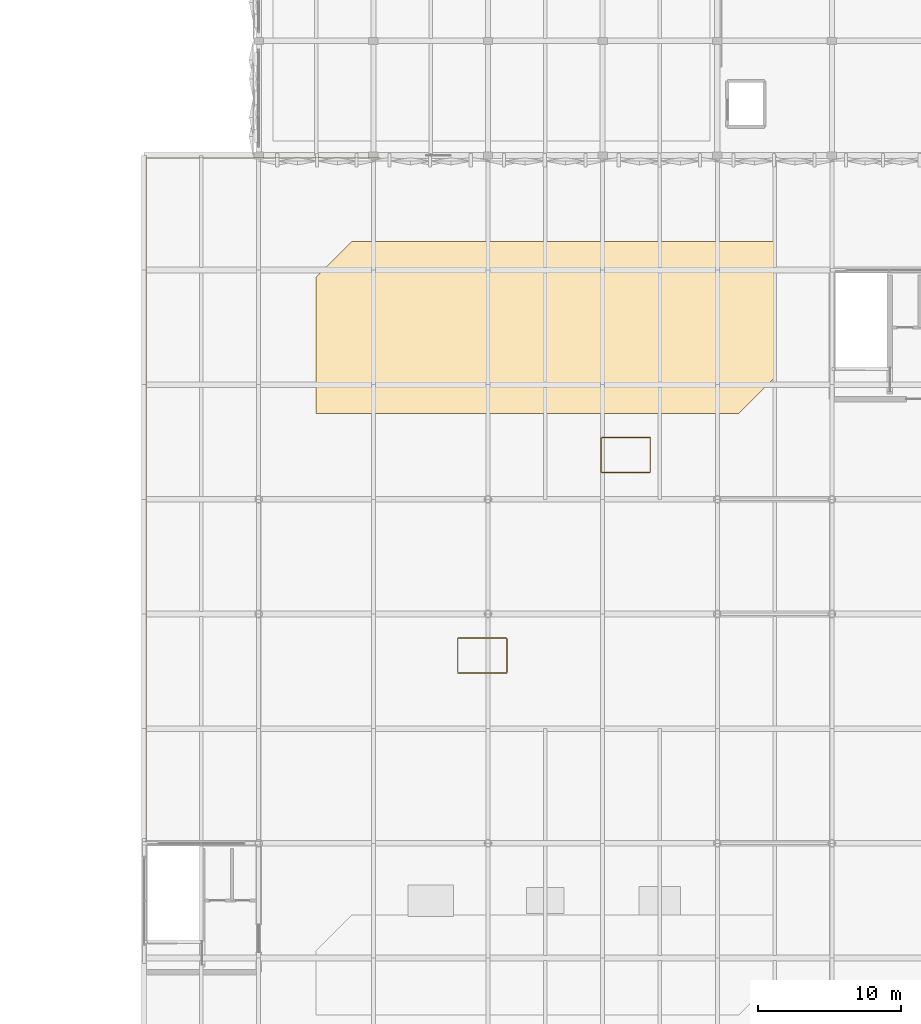
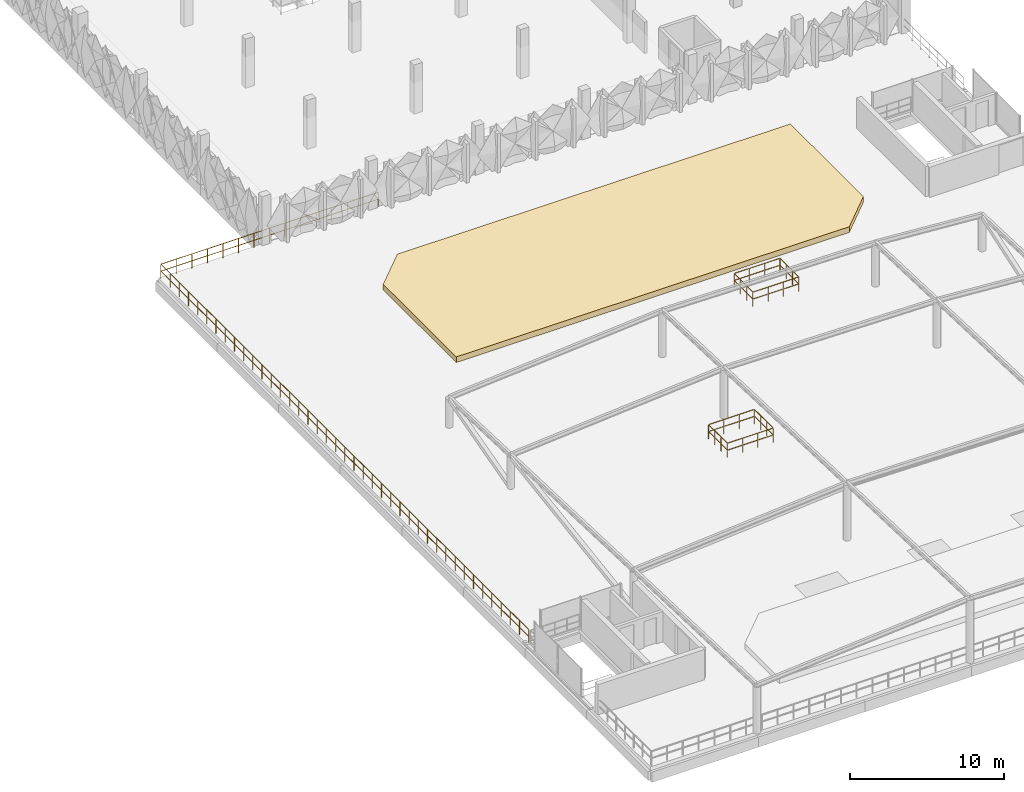
# One storey, part 72 of 76: 3 railings, 1 covering.
"""IFC4 building model written with IfcOpenShell, lengths in metres."""

from ifc_helpers import new_model, si_unit, derived_unit, direction, frame, origin, origin_2d, place, context, subcontext, project, spatial, polyline, circle, outline, extrude, material, layer, layer_set, type_object, element, save


model = new_model("IFC4")

# Units and contexts
model_context = context("Model", 3, precision=1e-05, world=origin(), true_north=direction((0.0, 1.0)))
body_context = subcontext(model_context, "Body", "Model", "MODEL_VIEW")
ifc_project = project(units=[si_unit("LENGTHUNIT", "METRE"), si_unit("AREAUNIT", "SQUARE_METRE"), si_unit("VOLUMEUNIT", "CUBIC_METRE"), si_unit("PLANEANGLEUNIT", "RADIAN"), si_unit("MASSUNIT", "GRAM", prefix="KILO"), si_unit("THERMODYNAMICTEMPERATUREUNIT", "KELVIN"), derived_unit("THERMALTRANSMITTANCEUNIT", [(si_unit("POWERUNIT", "WATT"), 1), (si_unit("AREAUNIT", "SQUARE_METRE"), -1), (si_unit("THERMODYNAMICTEMPERATUREUNIT", "KELVIN"), -1)])], contexts=[model_context])

# Site, building, storey
site_placement = place(None, origin())
site = spatial("IfcSite", under=ifc_project, at=site_placement, CompositionType="ELEMENT")
building_placement = place(site_placement, origin())
building = spatial("IfcBuilding", under=site, at=building_placement, Name="Haiyu Intermodal Mobility Hub", CompositionType="ELEMENT")
storey_placement = place(building_placement, frame((0.0, 0.0, 17.300048828125)))
storey = spatial("IfcBuildingStorey", under=building, at=storey_placement, Name="L04", CompositionType="ELEMENT", Elevation=17.300048828125)

# Covering
ifc_material_1 = material(Name="Acrylic sports court surfacing")
ifc_layer = layer(ifc_material_1, 0.030029296875)
ifc_layer_set = layer_set([ifc_layer], Name="Acrylic sports court surfacing")
covering_type = type_object("IfcCoveringType", Name="COV-CV07", PredefinedType="FLOORING", material=ifc_layer_set)
covering_placement = place(storey_placement, origin())
element("IfcCovering", 1, at=covering_placement, inside=storey, type_object=covering_type, Name="Sponge-City Planted Roof Garden Bed 02", PredefinedType="FLOORING", context=body_context, shape_type="SweptSolid", body=[
    extrude(outline(polyline([(166.0, 62.0), (195.5, 62.0), (198.0, 64.5), (198.0, 74.0), (168.5, 74.0), (166.0, 71.5), (166.0, 62.0)])), origin(), (0.0, 0.0, 1.0), 0.449951171875),
])

# Railings
ifc_material_2 = material(Name="Steel Q355C", Category="steel")
railing_type = type_object("IfcRailingType", Name="RAL-GR02", PredefinedType="GUARDRAIL", material=ifc_material_2)
railing_1_placement = place(storey_placement, frame((170.449951171875, 79.860107421875, 0.0)))
element("IfcRailing", 2, at=railing_1_placement, inside=storey, type_object=railing_type, Name="L04 Roof Garden North-West Guardrail", PredefinedType="GUARDRAIL", context=body_context, shape_type="SweptSolid", body=[
    extrude(circle(Radius=0.02392578125, at=origin_2d()), frame((-0.030029296875, 0.0, 1.1259765625), z_axis=(-1.0, 0.0, 0.0), x_axis=(0.0, -1.0, 0.0)), (0.0, 0.0, 1.0), 16.25),
    extrude(circle(Radius=0.02392578125, at=origin_2d()), frame((-0.037353515625, 0.0, 0.574951171875), z_axis=(-1.0, 0.0, 0.0), x_axis=(0.0, -1.0, 0.0)), (0.0, 0.0, 1.0), 1.09033203125),
    extrude(circle(Radius=0.02392578125, at=origin_2d()), frame((-1.202392578125, 0.0, 0.574951171875), z_axis=(-1.0, 0.0, 0.0), x_axis=(0.0, -1.0, 0.0)), (0.0, 0.0, 1.0), 1.09033203125),
    extrude(circle(Radius=0.02392578125, at=origin_2d()), frame((-2.3671875, 0.0, 0.574951171875), z_axis=(-1.0, 0.0, 0.0), x_axis=(0.0, -1.0, 0.0)), (0.0, 0.0, 1.0), 1.09033203125),
    extrude(circle(Radius=0.02392578125, at=origin_2d()), frame((-3.5322265625, 0.0, 0.574951171875), z_axis=(-1.0, 0.0, 0.0), x_axis=(0.0, -1.0, 0.0)), (0.0, 0.0, 1.0), 1.09033203125),
    extrude(circle(Radius=0.02392578125, at=origin_2d()), frame((-4.697265625, 0.0, 0.574951171875), z_axis=(-1.0, 0.0, 0.0), x_axis=(0.0, -1.0, 0.0)), (0.0, 0.0, 1.0), 1.09033203125),
    extrude(circle(Radius=0.02392578125, at=origin_2d()), frame((-5.8623046875, 0.0, 0.574951171875), z_axis=(-1.0, 0.0, 0.0), x_axis=(0.0, -1.0, 0.0)), (0.0, 0.0, 1.0), 1.09033203125),
    extrude(circle(Radius=0.02392578125, at=origin_2d()), frame((-7.02734375, 0.0, 0.574951171875), z_axis=(-1.0, 0.0, 0.0), x_axis=(0.0, -1.0, 0.0)), (0.0, 0.0, 1.0), 1.09033203125),
    extrude(circle(Radius=0.02392578125, at=origin_2d()), frame((-8.1923828125, 0.0, 0.574951171875), z_axis=(-1.0, 0.0, 0.0), x_axis=(0.0, -1.0, 0.0)), (0.0, 0.0, 1.0), 1.09033203125),
    extrude(circle(Radius=0.02392578125, at=origin_2d()), frame((-9.357421875, 0.0, 0.574951171875), z_axis=(-1.0, 0.0, 0.0), x_axis=(0.0, -1.0, 0.0)), (0.0, 0.0, 1.0), 1.09033203125),
    extrude(circle(Radius=0.02392578125, at=origin_2d()), frame((-10.522216796875, 0.0, 0.574951171875), z_axis=(-1.0, 0.0, 0.0), x_axis=(0.0, -1.0, 0.0)), (0.0, 0.0, 1.0), 1.09033203125),
    extrude(circle(Radius=0.02392578125, at=origin_2d()), frame((-11.687255859375, 0.0, 0.574951171875), z_axis=(-1.0, 0.0, 0.0), x_axis=(0.0, -1.0, 0.0)), (0.0, 0.0, 1.0), 1.09033203125),
    extrude(circle(Radius=0.02392578125, at=origin_2d()), frame((-12.852294921875, 0.0, 0.574951171875), z_axis=(-1.0, 0.0, 0.0), x_axis=(0.0, -1.0, 0.0)), (0.0, 0.0, 1.0), 1.09033203125),
    extrude(circle(Radius=0.02392578125, at=origin_2d()), frame((-14.017333984375, 0.0, 0.574951171875), z_axis=(-1.0, 0.0, 0.0), x_axis=(0.0, -1.0, 0.0)), (0.0, 0.0, 1.0), 1.09033203125),
    extrude(circle(Radius=0.02392578125, at=origin_2d()), frame((-15.182373046875, 0.0, 0.574951171875), z_axis=(-1.0, 0.0, 0.0), x_axis=(0.0, -1.0, 0.0)), (0.0, 0.0, 1.0), 1.09033203125),
    extrude(circle(Radius=0.02392578125, at=origin_2d()), frame((-16.31005859375, -0.030029296875, 1.1259765625), z_axis=(0.0, -1.0, 0.0), x_axis=(1.0, 0.0, 0.0)), (0.0, 0.0, 1.0), 47.75),
    extrude(circle(Radius=0.02392578125, at=origin_2d()), frame((-16.31005859375, -0.037353515625, 0.574951171875), z_axis=(0.0, -1.0, 0.0), x_axis=(1.0, 0.0, 0.0)), (0.0, 0.0, 1.0), 1.12060546875),
    extrude(circle(Radius=0.02392578125, at=origin_2d()), frame((-16.31005859375, -1.232666015625, 0.574951171875), z_axis=(0.0, -1.0, 0.0), x_axis=(1.0, 0.0, 0.0)), (0.0, 0.0, 1.0), 1.12060546875),
    extrude(circle(Radius=0.02392578125, at=origin_2d()), frame((-16.31005859375, -2.427734375, 0.574951171875), z_axis=(0.0, -1.0, 0.0), x_axis=(1.0, 0.0, 0.0)), (0.0, 0.0, 1.0), 1.12060546875),
    extrude(circle(Radius=0.02392578125, at=origin_2d()), frame((-16.31005859375, -3.623046875, 0.574951171875), z_axis=(0.0, -1.0, 0.0), x_axis=(1.0, 0.0, 0.0)), (0.0, 0.0, 1.0), 1.12060546875),
    extrude(circle(Radius=0.02392578125, at=origin_2d()), frame((-16.31005859375, -4.818359375, 0.574951171875), z_axis=(0.0, -1.0, 0.0), x_axis=(1.0, 0.0, 0.0)), (0.0, 0.0, 1.0), 1.12060546875),
    extrude(circle(Radius=0.02392578125, at=origin_2d()), frame((-16.31005859375, -6.013671875, 0.574951171875), z_axis=(0.0, -1.0, 0.0), x_axis=(1.0, 0.0, 0.0)), (0.0, 0.0, 1.0), 1.12060546875),
    extrude(circle(Radius=0.02392578125, at=origin_2d()), frame((-16.31005859375, -7.208740234375, 0.574951171875), z_axis=(0.0, -1.0, 0.0), x_axis=(1.0, 0.0, 0.0)), (0.0, 0.0, 1.0), 1.12060546875),
    extrude(circle(Radius=0.02392578125, at=origin_2d()), frame((-16.31005859375, -8.404052734375, 0.574951171875), z_axis=(0.0, -1.0, 0.0), x_axis=(1.0, 0.0, 0.0)), (0.0, 0.0, 1.0), 1.12060546875),
    extrude(circle(Radius=0.02392578125, at=origin_2d()), frame((-16.31005859375, -9.599365234375, 0.574951171875), z_axis=(0.0, -1.0, 0.0), x_axis=(1.0, 0.0, 0.0)), (0.0, 0.0, 1.0), 1.12060546875),
    extrude(circle(Radius=0.02392578125, at=origin_2d()), frame((-16.31005859375, -10.794677734375, 0.574951171875), z_axis=(0.0, -1.0, 0.0), x_axis=(1.0, 0.0, 0.0)), (0.0, 0.0, 1.0), 1.12060546875),
    extrude(circle(Radius=0.02392578125, at=origin_2d()), frame((-16.31005859375, -11.98974609375, 0.574951171875), z_axis=(0.0, -1.0, 0.0), x_axis=(1.0, 0.0, 0.0)), (0.0, 0.0, 1.0), 1.12060546875),
    extrude(circle(Radius=0.02392578125, at=origin_2d()), frame((-16.31005859375, -13.18505859375, 0.574951171875), z_axis=(0.0, -1.0, 0.0), x_axis=(1.0, 0.0, 0.0)), (0.0, 0.0, 1.0), 1.12060546875),
    extrude(circle(Radius=0.02392578125, at=origin_2d()), frame((-16.31005859375, -14.38037109375, 0.574951171875), z_axis=(0.0, -1.0, 0.0), x_axis=(1.0, 0.0, 0.0)), (0.0, 0.0, 1.0), 1.12060546875),
    extrude(circle(Radius=0.02392578125, at=origin_2d()), frame((-16.31005859375, -15.57568359375, 0.574951171875), z_axis=(0.0, -1.0, 0.0), x_axis=(1.0, 0.0, 0.0)), (0.0, 0.0, 1.0), 1.12060546875),
    extrude(circle(Radius=0.02392578125, at=origin_2d()), frame((-16.31005859375, -16.770751953125, 0.574951171875), z_axis=(0.0, -1.0, 0.0), x_axis=(1.0, 0.0, 0.0)), (0.0, 0.0, 1.0), 1.12060546875),
    extrude(circle(Radius=0.02392578125, at=origin_2d()), frame((-16.31005859375, -17.966064453125, 0.574951171875), z_axis=(0.0, -1.0, 0.0), x_axis=(1.0, 0.0, 0.0)), (0.0, 0.0, 1.0), 1.12060546875),
    extrude(circle(Radius=0.02392578125, at=origin_2d()), frame((-16.31005859375, -19.161376953125, 0.574951171875), z_axis=(0.0, -1.0, 0.0), x_axis=(1.0, 0.0, 0.0)), (0.0, 0.0, 1.0), 1.12060546875),
    extrude(circle(Radius=0.02392578125, at=origin_2d()), frame((-16.31005859375, -20.356689453125, 0.574951171875), z_axis=(0.0, -1.0, 0.0), x_axis=(1.0, 0.0, 0.0)), (0.0, 0.0, 1.0), 1.12060546875),
    extrude(circle(Radius=0.02392578125, at=origin_2d()), frame((-16.31005859375, -21.5517578125, 0.574951171875), z_axis=(0.0, -1.0, 0.0), x_axis=(1.0, 0.0, 0.0)), (0.0, 0.0, 1.0), 1.12060546875),
    extrude(circle(Radius=0.02392578125, at=origin_2d()), frame((-16.31005859375, -22.7470703125, 0.574951171875), z_axis=(0.0, -1.0, 0.0), x_axis=(1.0, 0.0, 0.0)), (0.0, 0.0, 1.0), 1.12060546875),
    extrude(circle(Radius=0.02392578125, at=origin_2d()), frame((-16.31005859375, -23.9423828125, 0.574951171875), z_axis=(0.0, -1.0, 0.0), x_axis=(1.0, 0.0, 0.0)), (0.0, 0.0, 1.0), 1.12060546875),
    extrude(circle(Radius=0.02392578125, at=origin_2d()), frame((-16.31005859375, -25.1376953125, 0.574951171875), z_axis=(0.0, -1.0, 0.0), x_axis=(1.0, 0.0, 0.0)), (0.0, 0.0, 1.0), 1.12060546875),
    extrude(circle(Radius=0.02392578125, at=origin_2d()), frame((-16.31005859375, -26.332763671875, 0.574951171875), z_axis=(0.0, -1.0, 0.0), x_axis=(1.0, 0.0, 0.0)), (0.0, 0.0, 1.0), 1.12060546875),
    extrude(circle(Radius=0.02392578125, at=origin_2d()), frame((-16.31005859375, -27.528076171875, 0.574951171875), z_axis=(0.0, -1.0, 0.0), x_axis=(1.0, 0.0, 0.0)), (0.0, 0.0, 1.0), 1.12060546875),
    extrude(circle(Radius=0.02392578125, at=origin_2d()), frame((-16.31005859375, -28.723388671875, 0.574951171875), z_axis=(0.0, -1.0, 0.0), x_axis=(1.0, 0.0, 0.0)), (0.0, 0.0, 1.0), 1.12060546875),
    extrude(circle(Radius=0.02392578125, at=origin_2d()), frame((-16.31005859375, -29.918701171875, 0.574951171875), z_axis=(0.0, -1.0, 0.0), x_axis=(1.0, 0.0, 0.0)), (0.0, 0.0, 1.0), 1.12060546875),
    extrude(circle(Radius=0.02392578125, at=origin_2d()), frame((-16.31005859375, -31.11376953125, 0.574951171875), z_axis=(0.0, -1.0, 0.0), x_axis=(1.0, 0.0, 0.0)), (0.0, 0.0, 1.0), 1.12060546875),
    extrude(circle(Radius=0.02392578125, at=origin_2d()), frame((-16.31005859375, -32.30908203125, 0.574951171875), z_axis=(0.0, -1.0, 0.0), x_axis=(1.0, 0.0, 0.0)), (0.0, 0.0, 1.0), 1.12060546875),
    extrude(circle(Radius=0.02392578125, at=origin_2d()), frame((-16.31005859375, -33.50439453125, 0.574951171875), z_axis=(0.0, -1.0, 0.0), x_axis=(1.0, 0.0, 0.0)), (0.0, 0.0, 1.0), 1.12060546875),
    extrude(circle(Radius=0.02392578125, at=origin_2d()), frame((-16.31005859375, -34.69970703125, 0.574951171875), z_axis=(0.0, -1.0, 0.0), x_axis=(1.0, 0.0, 0.0)), (0.0, 0.0, 1.0), 1.12060546875),
    extrude(circle(Radius=0.02392578125, at=origin_2d()), frame((-16.31005859375, -35.894775390625, 0.574951171875), z_axis=(0.0, -1.0, 0.0), x_axis=(1.0, 0.0, 0.0)), (0.0, 0.0, 1.0), 1.12060546875),
    extrude(circle(Radius=0.02392578125, at=origin_2d()), frame((-16.31005859375, -37.090087890625, 0.574951171875), z_axis=(0.0, -1.0, 0.0), x_axis=(1.0, 0.0, 0.0)), (0.0, 0.0, 1.0), 1.12060546875),
    extrude(circle(Radius=0.02392578125, at=origin_2d()), frame((-16.31005859375, -38.285400390625, 0.574951171875), z_axis=(0.0, -1.0, 0.0), x_axis=(1.0, 0.0, 0.0)), (0.0, 0.0, 1.0), 1.12060546875),
    extrude(circle(Radius=0.02392578125, at=origin_2d()), frame((-16.31005859375, -39.480712890625, 0.574951171875), z_axis=(0.0, -1.0, 0.0), x_axis=(1.0, 0.0, 0.0)), (0.0, 0.0, 1.0), 1.12060546875),
    extrude(circle(Radius=0.02392578125, at=origin_2d()), frame((-16.31005859375, -40.67578125, 0.574951171875), z_axis=(0.0, -1.0, 0.0), x_axis=(1.0, 0.0, 0.0)), (0.0, 0.0, 1.0), 1.12060546875),
    extrude(circle(Radius=0.02392578125, at=origin_2d()), frame((-16.31005859375, -41.87109375, 0.574951171875), z_axis=(0.0, -1.0, 0.0), x_axis=(1.0, 0.0, 0.0)), (0.0, 0.0, 1.0), 1.12060546875),
    extrude(circle(Radius=0.02392578125, at=origin_2d()), frame((-16.31005859375, -43.06640625, 0.574951171875), z_axis=(0.0, -1.0, 0.0), x_axis=(1.0, 0.0, 0.0)), (0.0, 0.0, 1.0), 1.12060546875),
    extrude(circle(Radius=0.02392578125, at=origin_2d()), frame((-16.31005859375, -44.26171875, 0.574951171875), z_axis=(0.0, -1.0, 0.0), x_axis=(1.0, 0.0, 0.0)), (0.0, 0.0, 1.0), 1.12060546875),
    extrude(circle(Radius=0.02392578125, at=origin_2d()), frame((-16.31005859375, -45.456787109375, 0.574951171875), z_axis=(0.0, -1.0, 0.0), x_axis=(1.0, 0.0, 0.0)), (0.0, 0.0, 1.0), 1.12060546875),
    extrude(circle(Radius=0.02392578125, at=origin_2d()), frame((-16.31005859375, -46.652099609375, 0.574951171875), z_axis=(0.0, -1.0, 0.0), x_axis=(1.0, 0.0, 0.0)), (0.0, 0.0, 1.0), 1.12060546875),
    extrude(circle(Radius=0.02099609375, at=origin_2d()), origin(), (0.0, 0.0, 1.0), 1.09375),
    extrude(circle(Radius=0.02099609375, at=origin_2d()), frame((-1.1650390625, 0.0, 0.0)), (0.0, 0.0, 1.0), 1.09375),
    extrude(circle(Radius=0.02099609375, at=origin_2d()), frame((-2.330078125, 0.0, 0.0)), (0.0, 0.0, 1.0), 1.09375),
    extrude(circle(Radius=0.02099609375, at=origin_2d()), frame((-3.4951171875, 0.0, 0.0)), (0.0, 0.0, 1.0), 1.09375),
    extrude(circle(Radius=0.02099609375, at=origin_2d()), frame((-4.659912109375, 0.0, 0.0)), (0.0, 0.0, 1.0), 1.09375),
    extrude(circle(Radius=0.02099609375, at=origin_2d()), frame((-5.824951171875, 0.0, 0.0)), (0.0, 0.0, 1.0), 1.09375),
    extrude(circle(Radius=0.02099609375, at=origin_2d()), frame((-6.989990234375, 0.0, 0.0)), (0.0, 0.0, 1.0), 1.09375),
    extrude(circle(Radius=0.02099609375, at=origin_2d()), frame((-8.155029296875, 0.0, 0.0)), (0.0, 0.0, 1.0), 1.09375),
    extrude(circle(Radius=0.02099609375, at=origin_2d()), frame((-9.320068359375, 0.0, 0.0)), (0.0, 0.0, 1.0), 1.09375),
    extrude(circle(Radius=0.02099609375, at=origin_2d()), frame((-10.485107421875, 0.0, 0.0)), (0.0, 0.0, 1.0), 1.09375),
    extrude(circle(Radius=0.02099609375, at=origin_2d()), frame((-11.650146484375, 0.0, 0.0)), (0.0, 0.0, 1.0), 1.09375),
    extrude(circle(Radius=0.02099609375, at=origin_2d()), frame((-12.81494140625, 0.0, 0.0)), (0.0, 0.0, 1.0), 1.09375),
    extrude(circle(Radius=0.02099609375, at=origin_2d()), frame((-13.97998046875, 0.0, 0.0)), (0.0, 0.0, 1.0), 1.09375),
    extrude(circle(Radius=0.02099609375, at=origin_2d()), frame((-15.14501953125, 0.0, 0.0)), (0.0, 0.0, 1.0), 1.09375),
    extrude(circle(Radius=0.02099609375, at=origin_2d()), frame((-16.31005859375, 0.0, 0.0)), (0.0, 0.0, 1.0), 1.09375),
    extrude(circle(Radius=0.02099609375, at=origin_2d()), frame((-16.31005859375, -1.1953125, 0.0)), (0.0, 0.0, 1.0), 1.09375),
    extrude(circle(Radius=0.02099609375, at=origin_2d()), frame((-16.31005859375, -2.390625, 0.0)), (0.0, 0.0, 1.0), 1.09375),
    extrude(circle(Radius=0.02099609375, at=origin_2d()), frame((-16.31005859375, -3.585693359375, 0.0)), (0.0, 0.0, 1.0), 1.09375),
    extrude(circle(Radius=0.02099609375, at=origin_2d()), frame((-16.31005859375, -4.781005859375, 0.0)), (0.0, 0.0, 1.0), 1.09375),
    extrude(circle(Radius=0.02099609375, at=origin_2d()), frame((-16.31005859375, -5.976318359375, 0.0)), (0.0, 0.0, 1.0), 1.09375),
    extrude(circle(Radius=0.02099609375, at=origin_2d()), frame((-16.31005859375, -7.17138671875, 0.0)), (0.0, 0.0, 1.0), 1.09375),
    extrude(circle(Radius=0.02099609375, at=origin_2d()), frame((-16.31005859375, -8.36669921875, 0.0)), (0.0, 0.0, 1.0), 1.09375),
    extrude(circle(Radius=0.02099609375, at=origin_2d()), frame((-16.31005859375, -9.56201171875, 0.0)), (0.0, 0.0, 1.0), 1.09375),
    extrude(circle(Radius=0.02099609375, at=origin_2d()), frame((-16.31005859375, -10.75732421875, 0.0)), (0.0, 0.0, 1.0), 1.09375),
    extrude(circle(Radius=0.02099609375, at=origin_2d()), frame((-16.31005859375, -11.95263671875, 0.0)), (0.0, 0.0, 1.0), 1.09375),
    extrude(circle(Radius=0.02099609375, at=origin_2d()), frame((-16.31005859375, -13.147705078125, 0.0)), (0.0, 0.0, 1.0), 1.09375),
    extrude(circle(Radius=0.02099609375, at=origin_2d()), frame((-16.31005859375, -14.343017578125, 0.0)), (0.0, 0.0, 1.0), 1.09375),
    extrude(circle(Radius=0.02099609375, at=origin_2d()), frame((-16.31005859375, -15.538330078125, 0.0)), (0.0, 0.0, 1.0), 1.09375),
    extrude(circle(Radius=0.02099609375, at=origin_2d()), frame((-16.31005859375, -16.7333984375, 0.0)), (0.0, 0.0, 1.0), 1.09375),
    extrude(circle(Radius=0.02099609375, at=origin_2d()), frame((-16.31005859375, -17.9287109375, 0.0)), (0.0, 0.0, 1.0), 1.09375),
    extrude(circle(Radius=0.02099609375, at=origin_2d()), frame((-16.31005859375, -19.1240234375, 0.0)), (0.0, 0.0, 1.0), 1.09375),
    extrude(circle(Radius=0.02099609375, at=origin_2d()), frame((-16.31005859375, -20.3193359375, 0.0)), (0.0, 0.0, 1.0), 1.09375),
    extrude(circle(Radius=0.02099609375, at=origin_2d()), frame((-16.31005859375, -21.5146484375, 0.0)), (0.0, 0.0, 1.0), 1.09375),
    extrude(circle(Radius=0.02099609375, at=origin_2d()), frame((-16.31005859375, -22.709716796875, 0.0)), (0.0, 0.0, 1.0), 1.09375),
    extrude(circle(Radius=0.02099609375, at=origin_2d()), frame((-16.31005859375, -23.905029296875, 0.0)), (0.0, 0.0, 1.0), 1.09375),
    extrude(circle(Radius=0.02099609375, at=origin_2d()), frame((-16.31005859375, -25.100341796875, 0.0)), (0.0, 0.0, 1.0), 1.09375),
    extrude(circle(Radius=0.02099609375, at=origin_2d()), frame((-16.31005859375, -26.295654296875, 0.0)), (0.0, 0.0, 1.0), 1.09375),
    extrude(circle(Radius=0.02099609375, at=origin_2d()), frame((-16.31005859375, -27.49072265625, 0.0)), (0.0, 0.0, 1.0), 1.09375),
    extrude(circle(Radius=0.02099609375, at=origin_2d()), frame((-16.31005859375, -28.68603515625, 0.0)), (0.0, 0.0, 1.0), 1.09375),
    extrude(circle(Radius=0.02099609375, at=origin_2d()), frame((-16.31005859375, -29.88134765625, 0.0)), (0.0, 0.0, 1.0), 1.09375),
    extrude(circle(Radius=0.02099609375, at=origin_2d()), frame((-16.31005859375, -31.07666015625, 0.0)), (0.0, 0.0, 1.0), 1.09375),
    extrude(circle(Radius=0.02099609375, at=origin_2d()), frame((-16.31005859375, -32.271728515625, 0.0)), (0.0, 0.0, 1.0), 1.09375),
    extrude(circle(Radius=0.02099609375, at=origin_2d()), frame((-16.31005859375, -33.467041015625, 0.0)), (0.0, 0.0, 1.0), 1.09375),
    extrude(circle(Radius=0.02099609375, at=origin_2d()), frame((-16.31005859375, -34.662353515625, 0.0)), (0.0, 0.0, 1.0), 1.09375),
    extrude(circle(Radius=0.02099609375, at=origin_2d()), frame((-16.31005859375, -35.857421875, 0.0)), (0.0, 0.0, 1.0), 1.09375),
    extrude(circle(Radius=0.02099609375, at=origin_2d()), frame((-16.31005859375, -37.052734375, 0.0)), (0.0, 0.0, 1.0), 1.09375),
    extrude(circle(Radius=0.02099609375, at=origin_2d()), frame((-16.31005859375, -38.248046875, 0.0)), (0.0, 0.0, 1.0), 1.09375),
    extrude(circle(Radius=0.02099609375, at=origin_2d()), frame((-16.31005859375, -39.443359375, 0.0)), (0.0, 0.0, 1.0), 1.09375),
    extrude(circle(Radius=0.02099609375, at=origin_2d()), frame((-16.31005859375, -40.638671875, 0.0)), (0.0, 0.0, 1.0), 1.09375),
    extrude(circle(Radius=0.02099609375, at=origin_2d()), frame((-16.31005859375, -41.833740234375, 0.0)), (0.0, 0.0, 1.0), 1.09375),
    extrude(circle(Radius=0.02099609375, at=origin_2d()), frame((-16.31005859375, -43.029052734375, 0.0)), (0.0, 0.0, 1.0), 1.09375),
    extrude(circle(Radius=0.02099609375, at=origin_2d()), frame((-16.31005859375, -44.224365234375, 0.0)), (0.0, 0.0, 1.0), 1.09375),
    extrude(circle(Radius=0.02099609375, at=origin_2d()), frame((-16.31005859375, -45.41943359375, 0.0)), (0.0, 0.0, 1.0), 1.09375),
    extrude(circle(Radius=0.02099609375, at=origin_2d()), frame((-16.31005859375, -46.61474609375, 0.0)), (0.0, 0.0, 1.0), 1.09375),
    extrude(circle(Radius=0.02099609375, at=origin_2d()), frame((-16.31005859375, -47.81005859375, 0.0)), (0.0, 0.0, 1.0), 1.09375),
])
railing_2_placement = place(storey_placement, frame((175.8798828125, 43.8798828125, 0.0)))
element("IfcRailing", 3, at=railing_2_placement, inside=storey, type_object=railing_type, Name="RAL-V5RG-OPN1", PredefinedType="GUARDRAIL", context=body_context, shape_type="SweptSolid", body=[
    extrude(circle(Radius=0.02392578125, at=origin_2d()), frame((0.030029296875, 0.0, 1.1259765625), z_axis=(1.0, 0.0, 0.0), x_axis=(0.0, 1.0, 0.0)), (0.0, 0.0, 1.0), 3.380126953125),
    extrude(circle(Radius=0.02392578125, at=origin_2d()), frame((0.037353515625, 0.0, 0.574951171875), z_axis=(1.0, 0.0, 0.0), x_axis=(0.0, 1.0, 0.0)), (0.0, 0.0, 1.0), 1.072021484375),
    extrude(circle(Radius=0.02392578125, at=origin_2d()), frame((1.18408203125, 0.0, 0.574951171875), z_axis=(1.0, 0.0, 0.0), x_axis=(0.0, 1.0, 0.0)), (0.0, 0.0, 1.0), 1.072021484375),
    extrude(circle(Radius=0.02392578125, at=origin_2d()), frame((2.330810546875, 0.0, 0.574951171875), z_axis=(1.0, 0.0, 0.0), x_axis=(0.0, 1.0, 0.0)), (0.0, 0.0, 1.0), 1.072021484375),
    extrude(circle(Radius=0.02392578125, at=origin_2d()), frame((3.440185546875, 0.030029296875, 1.1259765625), z_axis=(0.0, 1.0, 0.0), x_axis=(-1.0, 0.0, 0.0)), (0.0, 0.0, 1.0), 2.380126953125),
    extrude(circle(Radius=0.02392578125, at=origin_2d()), frame((3.440185546875, 0.037353515625, 0.574951171875), z_axis=(0.0, 1.0, 0.0), x_axis=(-1.0, 0.0, 0.0)), (0.0, 0.0, 1.0), 0.73876953125),
    extrude(circle(Radius=0.02392578125, at=origin_2d()), frame((3.440185546875, 0.8505859375, 0.574951171875), z_axis=(0.0, 1.0, 0.0), x_axis=(-1.0, 0.0, 0.0)), (0.0, 0.0, 1.0), 0.73876953125),
    extrude(circle(Radius=0.02392578125, at=origin_2d()), frame((3.440185546875, 1.6640625, 0.574951171875), z_axis=(0.0, 1.0, 0.0), x_axis=(-1.0, 0.0, 0.0)), (0.0, 0.0, 1.0), 0.73876953125),
    extrude(circle(Radius=0.02392578125, at=origin_2d()), frame((3.41015625, 2.440185546875, 1.1259765625), z_axis=(-1.0, 0.0, 0.0), x_axis=(0.0, -1.0, 0.0)), (0.0, 0.0, 1.0), 3.380126953125),
    extrude(circle(Radius=0.02392578125, at=origin_2d()), frame((3.40283203125, 2.440185546875, 0.574951171875), z_axis=(-1.0, 0.0, 0.0), x_axis=(0.0, -1.0, 0.0)), (0.0, 0.0, 1.0), 1.072021484375),
    extrude(circle(Radius=0.02392578125, at=origin_2d()), frame((2.256103515625, 2.440185546875, 0.574951171875), z_axis=(-1.0, 0.0, 0.0), x_axis=(0.0, -1.0, 0.0)), (0.0, 0.0, 1.0), 1.072021484375),
    extrude(circle(Radius=0.02392578125, at=origin_2d()), frame((1.109375, 2.440185546875, 0.574951171875), z_axis=(-1.0, 0.0, 0.0), x_axis=(0.0, -1.0, 0.0)), (0.0, 0.0, 1.0), 1.072021484375),
    extrude(circle(Radius=0.02392578125, at=origin_2d()), frame((0.0, 2.41015625, 1.1259765625), z_axis=(0.0, -1.0, 0.0), x_axis=(1.0, 0.0, 0.0)), (0.0, 0.0, 1.0), 2.380126953125),
    extrude(circle(Radius=0.02392578125, at=origin_2d()), frame((0.0, 2.40283203125, 0.574951171875), z_axis=(0.0, -1.0, 0.0), x_axis=(1.0, 0.0, 0.0)), (0.0, 0.0, 1.0), 0.73876953125),
    extrude(circle(Radius=0.02392578125, at=origin_2d()), frame((0.0, 1.589599609375, 0.574951171875), z_axis=(0.0, -1.0, 0.0), x_axis=(1.0, 0.0, 0.0)), (0.0, 0.0, 1.0), 0.73876953125),
    extrude(circle(Radius=0.02392578125, at=origin_2d()), frame((0.0, 0.776123046875, 0.574951171875), z_axis=(0.0, -1.0, 0.0), x_axis=(1.0, 0.0, 0.0)), (0.0, 0.0, 1.0), 0.73876953125),
    extrude(circle(Radius=0.02099609375, at=origin_2d()), origin(), (0.0, 0.0, 1.0), 1.09375),
    extrude(circle(Radius=0.02099609375, at=origin_2d()), frame((1.146728515625, 0.0, 0.0)), (0.0, 0.0, 1.0), 1.09375),
    extrude(circle(Radius=0.02099609375, at=origin_2d()), frame((2.29345703125, 0.0, 0.0)), (0.0, 0.0, 1.0), 1.09375),
    extrude(circle(Radius=0.02099609375, at=origin_2d()), frame((3.440185546875, 0.0, 0.0)), (0.0, 0.0, 1.0), 1.09375),
    extrude(circle(Radius=0.02099609375, at=origin_2d()), frame((3.440185546875, 0.8134765625, 0.0)), (0.0, 0.0, 1.0), 1.09375),
    extrude(circle(Radius=0.02099609375, at=origin_2d()), frame((3.440185546875, 1.626708984375, 0.0)), (0.0, 0.0, 1.0), 1.09375),
    extrude(circle(Radius=0.02099609375, at=origin_2d()), frame((3.440185546875, 2.440185546875, 0.0)), (0.0, 0.0, 1.0), 1.09375),
    extrude(circle(Radius=0.02099609375, at=origin_2d()), frame((2.29345703125, 2.440185546875, 0.0)), (0.0, 0.0, 1.0), 1.09375),
    extrude(circle(Radius=0.02099609375, at=origin_2d()), frame((1.146728515625, 2.440185546875, 0.0)), (0.0, 0.0, 1.0), 1.09375),
    extrude(circle(Radius=0.02099609375, at=origin_2d()), frame((0.0, 2.440185546875, 0.0)), (0.0, 0.0, 1.0), 1.09375),
    extrude(circle(Radius=0.02099609375, at=origin_2d()), frame((0.0, 1.626708984375, 0.0)), (0.0, 0.0, 1.0), 1.09375),
    extrude(circle(Radius=0.02099609375, at=origin_2d()), frame((0.0, 0.8134765625, 0.0)), (0.0, 0.0, 1.0), 1.09375),
])
railing_3_placement = place(storey_placement, frame((185.8798828125, 57.8798828125, 0.0)))
element("IfcRailing", 4, at=railing_3_placement, inside=storey, type_object=railing_type, Name="RAL-V5RG-OPN2", PredefinedType="GUARDRAIL", context=body_context, shape_type="SweptSolid", body=[
    extrude(circle(Radius=0.02392578125, at=origin_2d()), frame((0.030029296875, 0.0, 1.1259765625), z_axis=(1.0, 0.0, 0.0), x_axis=(0.0, 1.0, 0.0)), (0.0, 0.0, 1.0), 3.380126953125),
    extrude(circle(Radius=0.02392578125, at=origin_2d()), frame((0.037353515625, 0.0, 0.574951171875), z_axis=(1.0, 0.0, 0.0), x_axis=(0.0, 1.0, 0.0)), (0.0, 0.0, 1.0), 1.072021484375),
    extrude(circle(Radius=0.02392578125, at=origin_2d()), frame((1.18408203125, 0.0, 0.574951171875), z_axis=(1.0, 0.0, 0.0), x_axis=(0.0, 1.0, 0.0)), (0.0, 0.0, 1.0), 1.072021484375),
    extrude(circle(Radius=0.02392578125, at=origin_2d()), frame((2.330810546875, 0.0, 0.574951171875), z_axis=(1.0, 0.0, 0.0), x_axis=(0.0, 1.0, 0.0)), (0.0, 0.0, 1.0), 1.072021484375),
    extrude(circle(Radius=0.02392578125, at=origin_2d()), frame((3.440185546875, 0.030029296875, 1.1259765625), z_axis=(0.0, 1.0, 0.0), x_axis=(-1.0, 0.0, 0.0)), (0.0, 0.0, 1.0), 2.380126953125),
    extrude(circle(Radius=0.02392578125, at=origin_2d()), frame((3.440185546875, 0.037353515625, 0.574951171875), z_axis=(0.0, 1.0, 0.0), x_axis=(-1.0, 0.0, 0.0)), (0.0, 0.0, 1.0), 0.73876953125),
    extrude(circle(Radius=0.02392578125, at=origin_2d()), frame((3.440185546875, 0.8505859375, 0.574951171875), z_axis=(0.0, 1.0, 0.0), x_axis=(-1.0, 0.0, 0.0)), (0.0, 0.0, 1.0), 0.73876953125),
    extrude(circle(Radius=0.02392578125, at=origin_2d()), frame((3.440185546875, 1.6640625, 0.574951171875), z_axis=(0.0, 1.0, 0.0), x_axis=(-1.0, 0.0, 0.0)), (0.0, 0.0, 1.0), 0.73876953125),
    extrude(circle(Radius=0.02392578125, at=origin_2d()), frame((3.41015625, 2.440185546875, 1.1259765625), z_axis=(-1.0, 0.0, 0.0), x_axis=(0.0, -1.0, 0.0)), (0.0, 0.0, 1.0), 3.380126953125),
    extrude(circle(Radius=0.02392578125, at=origin_2d()), frame((3.40283203125, 2.440185546875, 0.574951171875), z_axis=(-1.0, 0.0, 0.0), x_axis=(0.0, -1.0, 0.0)), (0.0, 0.0, 1.0), 1.072021484375),
    extrude(circle(Radius=0.02392578125, at=origin_2d()), frame((2.256103515625, 2.440185546875, 0.574951171875), z_axis=(-1.0, 0.0, 0.0), x_axis=(0.0, -1.0, 0.0)), (0.0, 0.0, 1.0), 1.072021484375),
    extrude(circle(Radius=0.02392578125, at=origin_2d()), frame((1.109375, 2.440185546875, 0.574951171875), z_axis=(-1.0, 0.0, 0.0), x_axis=(0.0, -1.0, 0.0)), (0.0, 0.0, 1.0), 1.072021484375),
    extrude(circle(Radius=0.02392578125, at=origin_2d()), frame((0.0, 2.41015625, 1.1259765625), z_axis=(0.0, -1.0, 0.0), x_axis=(1.0, 0.0, 0.0)), (0.0, 0.0, 1.0), 2.380126953125),
    extrude(circle(Radius=0.02392578125, at=origin_2d()), frame((0.0, 2.40283203125, 0.574951171875), z_axis=(0.0, -1.0, 0.0), x_axis=(1.0, 0.0, 0.0)), (0.0, 0.0, 1.0), 0.73876953125),
    extrude(circle(Radius=0.02392578125, at=origin_2d()), frame((0.0, 1.589599609375, 0.574951171875), z_axis=(0.0, -1.0, 0.0), x_axis=(1.0, 0.0, 0.0)), (0.0, 0.0, 1.0), 0.73876953125),
    extrude(circle(Radius=0.02392578125, at=origin_2d()), frame((0.0, 0.776123046875, 0.574951171875), z_axis=(0.0, -1.0, 0.0), x_axis=(1.0, 0.0, 0.0)), (0.0, 0.0, 1.0), 0.73876953125),
    extrude(circle(Radius=0.02099609375, at=origin_2d()), origin(), (0.0, 0.0, 1.0), 1.09375),
    extrude(circle(Radius=0.02099609375, at=origin_2d()), frame((1.146728515625, 0.0, 0.0)), (0.0, 0.0, 1.0), 1.09375),
    extrude(circle(Radius=0.02099609375, at=origin_2d()), frame((2.29345703125, 0.0, 0.0)), (0.0, 0.0, 1.0), 1.09375),
    extrude(circle(Radius=0.02099609375, at=origin_2d()), frame((3.440185546875, 0.0, 0.0)), (0.0, 0.0, 1.0), 1.09375),
    extrude(circle(Radius=0.02099609375, at=origin_2d()), frame((3.440185546875, 0.8134765625, 0.0)), (0.0, 0.0, 1.0), 1.09375),
    extrude(circle(Radius=0.02099609375, at=origin_2d()), frame((3.440185546875, 1.626708984375, 0.0)), (0.0, 0.0, 1.0), 1.09375),
    extrude(circle(Radius=0.02099609375, at=origin_2d()), frame((3.440185546875, 2.440185546875, 0.0)), (0.0, 0.0, 1.0), 1.09375),
    extrude(circle(Radius=0.02099609375, at=origin_2d()), frame((2.29345703125, 2.440185546875, 0.0)), (0.0, 0.0, 1.0), 1.09375),
    extrude(circle(Radius=0.02099609375, at=origin_2d()), frame((1.146728515625, 2.440185546875, 0.0)), (0.0, 0.0, 1.0), 1.09375),
    extrude(circle(Radius=0.02099609375, at=origin_2d()), frame((0.0, 2.440185546875, 0.0)), (0.0, 0.0, 1.0), 1.09375),
    extrude(circle(Radius=0.02099609375, at=origin_2d()), frame((0.0, 1.626708984375, 0.0)), (0.0, 0.0, 1.0), 1.09375),
    extrude(circle(Radius=0.02099609375, at=origin_2d()), frame((0.0, 0.8134765625, 0.0)), (0.0, 0.0, 1.0), 1.09375),
])

save(model, "model.ifc")
